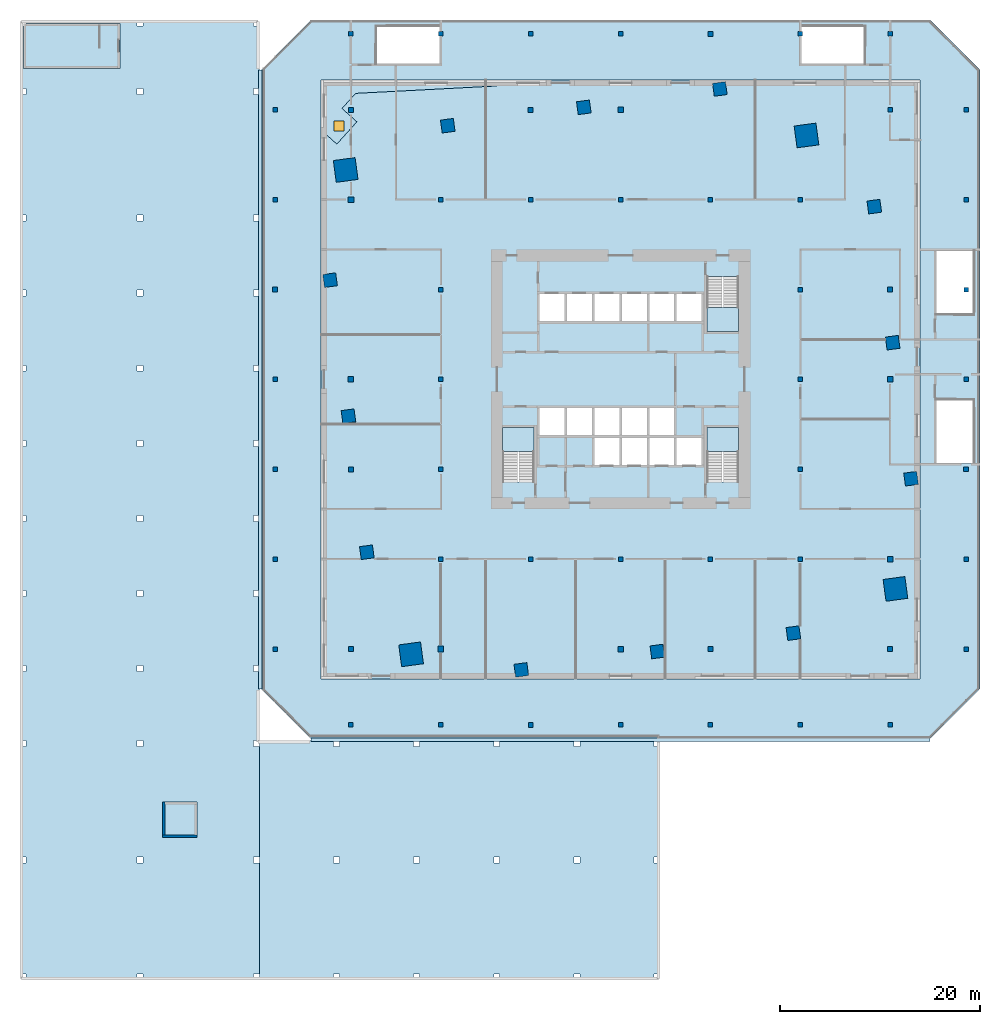
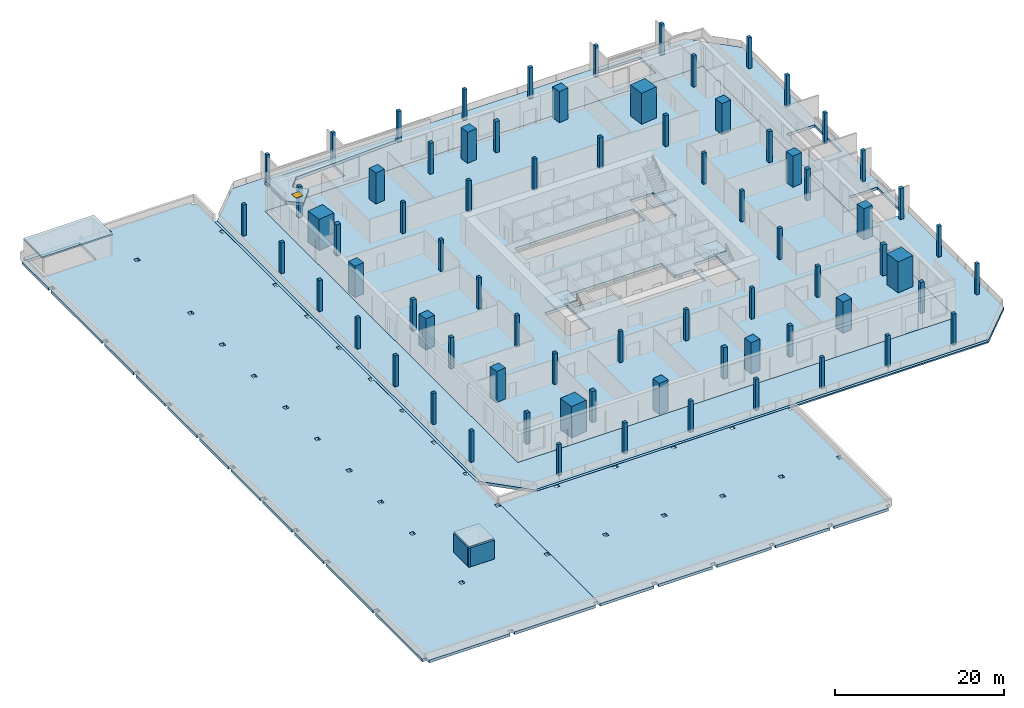
# One storey, part 1 of 12: 75 columns, 10 slabs, 2 plates, 2 walls, 1 door, 1 opening, 3 elements without a shape of their own.
"""IFC4 building model written with IfcOpenShell, lengths in metres."""

from ifc_helpers import new_model, si_unit, direction, frame, frame_2d, origin, origin_2d, place, context, subcontext, project, spatial, polyline, rectangle, outline, extrude, material, layer, layer_set, material_profile, profile_set, type_object, element, fill, aggregate, save


model = new_model("IFC4")

# Units and contexts
model_context = context("Model", 3, precision=1e-05, world=origin(), true_north=direction((0.0, 1.0)))
body_context = subcontext(model_context, "Body", "Model", "MODEL_VIEW")
ifc_project = project(units=[si_unit("LENGTHUNIT", "METRE"), si_unit("AREAUNIT", "SQUARE_METRE"), si_unit("VOLUMEUNIT", "CUBIC_METRE"), si_unit("PLANEANGLEUNIT", "RADIAN"), si_unit("MASSUNIT", "GRAM", prefix="KILO")], contexts=[model_context])

# Site, building, storey
site_placement = place(None, origin())
site = spatial("IfcSite", under=ifc_project, at=site_placement, CompositionType="ELEMENT")
building_placement = place(site_placement, origin())
building = spatial("IfcBuilding", under=site, at=building_placement, Name="Dilmun Exchange Tower", CompositionType="ELEMENT")
storey_placement = place(building_placement, frame((0.0, 0.0, 18.0)))
storey = spatial("IfcBuildingStorey", under=building, at=storey_placement, Name="L04", CompositionType="ELEMENT", Elevation=18.0)

# Columns
ifc_material_1 = material(Name="Concrete C80/95", Category="concrete")
ifc_material_profile_1 = material_profile(ifc_material_1, rectangle(XDim=2.199951171875, YDim=2.199951171875, at=origin_2d()), Name="2200 x 2200")
ifc_profile_set_1 = profile_set([ifc_material_profile_1], Name="Concrete C80/95")
column_type_1 = type_object("IfcColumnType", Name="RC mega column 2200 x 2200 C80/95", PredefinedType="COLUMN", material=ifc_profile_set_1)
for number, where, z_axis, x_axis, name in (
    (1, (18.6220703125, 24.43701171875, 0.0), (0.0, 0.0, 1.0), (0.991001197216, 0.133853005627, 0.0), "Mega column M1"),
    (2, (-27.531005859375, 20.97900390625, 0.0), (0.0, 0.0, 1.0), (0.991001197216, 0.133853005627, 0.0), "Mega column M2"),
    (3, (-20.97900390625, -27.531005859375, 0.0), (0.0, 0.0, 1.0), (0.991001197216, 0.133853005627, 0.0), "Mega column M3"),
    (4, (27.531005859375, -20.97900390625, 0.0), (0.0, 0.0, 1.0), (0.991001197216, 0.133853005627, 0.0), "Mega column M4"),
):
    element("IfcColumn", number, at=place(storey_placement, frame(where, z_axis=z_axis, x_axis=x_axis)), inside=storey, type_object=column_type_1, Name=name, PredefinedType="COLUMN", context=body_context, shape_type="SweptSolid", body=[
        extrude(rectangle(XDim=2.199951171875, YDim=2.199951171875, at=origin_2d()), origin(), (0.0, 0.0, 1.0), 4.5),
    ])
ifc_material_2 = material(Name="Concrete C60/75", Category="concrete")
ifc_material_profile_2 = material_profile(ifc_material_2, rectangle(XDim=0.449951171875, YDim=0.449951171875, at=origin_2d()), Name="450 x 450")
ifc_profile_set_2 = profile_set([ifc_material_profile_2], Name="Concrete C60/75")
column_type_2 = type_object("IfcColumnType", Name="RC podium column 450 x 450 C60/75", PredefinedType="COLUMN", material=ifc_profile_set_2)
for number, where, z_axis, x_axis, name in (
    (5, (-34.60009765625, -27.0, 0.0), (0.0, 0.0, 1.0), (1.0, 0.0, 0.0), "Podium column 5F"),
    (6, (-34.60009765625, -18.0, 0.0), (0.0, 0.0, 1.0), (1.0, 0.0, 0.0), "Podium column 5G"),
    (7, (-34.60009765625, -9.0, 0.0), (0.0, 0.0, 1.0), (1.0, 0.0, 0.0), "Podium column 5H"),
    (8, (-34.60009765625, 0.0, 0.0), (0.0, 0.0, 1.0), (1.0, 0.0, 0.0), "Podium column 5J"),
    (9, (-34.60009765625, 18.0, 0.0), (0.0, 0.0, 1.0), (1.0, 0.0, 0.0), "Podium column 5L"),
    (10, (-34.60009765625, 27.0, 0.0), (0.0, 0.0, 1.0), (1.0, 0.0, 0.0), "Podium column 5M"),
    (11, (-27.0, -34.60009765625, 0.0), (0.0, 0.0, 1.0), (1.0, 0.0, 0.0), "Podium column 6E"),
    (12, (-27.0, 34.60009765625, 0.0), (0.0, 0.0, 1.0), (1.0, 0.0, 0.0), "Podium column 6N"),
    (13, (-18.0, -34.60009765625, 0.0), (0.0, 0.0, 1.0), (1.0, 0.0, 0.0), "Podium column 7E"),
    (14, (-18.0, -18.0, 0.0), (0.0, 0.0, 1.0), (1.0, 0.0, 0.0), "Podium column 7G"),
    (15, (-18.0, -9.0, 0.0), (0.0, 0.0, 1.0), (1.0, 0.0, 0.0), "Podium column 7H"),
    (16, (-18.0, 0.0, 0.0), (0.0, 0.0, 1.0), (1.0, 0.0, 0.0), "Podium column 7J"),
    (17, (-18.0, 9.0, 0.0), (0.0, 0.0, 1.0), (1.0, 0.0, 0.0), "Podium column 7K"),
    (18, (-18.0, 18.0, 0.0), (0.0, 0.0, 1.0), (1.0, 0.0, 0.0), "Podium column 7L"),
    (19, (-18.0, 34.60009765625, 0.0), (0.0, 0.0, 1.0), (1.0, 0.0, 0.0), "Podium column 7N"),
    (20, (-9.0, -18.0, 0.0), (0.0, 0.0, 1.0), (1.0, 0.0, 0.0), "Podium column 8G"),
    (21, (-9.0, 18.0, 0.0), (0.0, 0.0, 1.0), (1.0, 0.0, 0.0), "Podium column 8L"),
    (22, (-9.0, 34.60009765625, 0.0), (0.0, 0.0, 1.0), (1.0, 0.0, 0.0), "Podium column 8N"),
    (23, (0.0, -34.60009765625, 0.0), (0.0, 0.0, 1.0), (1.0, 0.0, 0.0), "Podium column 9E"),
    (24, (0.0, -18.0, 0.0), (0.0, 0.0, 1.0), (1.0, 0.0, 0.0), "Podium column 9G"),
    (25, (0.0, 18.0, 0.0), (0.0, 0.0, 1.0), (1.0, 0.0, 0.0), "Podium column 9L"),
    (26, (0.0, 34.60009765625, 0.0), (0.0, 0.0, 1.0), (1.0, 0.0, 0.0), "Podium column 9N"),
    (27, (9.0, -34.60009765625, 0.0), (0.0, 0.0, 1.0), (1.0, 0.0, 0.0), "Podium column 10E"),
    (28, (9.0, -18.0, 0.0), (0.0, 0.0, 1.0), (1.0, 0.0, 0.0), "Podium column 10G"),
    (29, (9.0, 18.0, 0.0), (0.0, 0.0, 1.0), (1.0, 0.0, 0.0), "Podium column 10L"),
    (30, (18.0, -34.60009765625, 0.0), (0.0, 0.0, 1.0), (1.0, 0.0, 0.0), "Podium column 11E"),
    (31, (18.0, -18.0, 0.0), (0.0, 0.0, 1.0), (1.0, 0.0, 0.0), "Podium column 11G"),
    (32, (18.0, -9.0, 0.0), (0.0, 0.0, 1.0), (1.0, 0.0, 0.0), "Podium column 11H"),
    (33, (18.0, 0.0, 0.0), (0.0, 0.0, 1.0), (1.0, 0.0, 0.0), "Podium column 11J"),
    (34, (18.0, 9.0, 0.0), (0.0, 0.0, 1.0), (1.0, 0.0, 0.0), "Podium column 11K"),
    (35, (18.0, 34.60009765625, 0.0), (0.0, 0.0, 1.0), (1.0, 0.0, 0.0), "Podium column 11N"),
    (36, (27.0, -34.60009765625, 0.0), (0.0, 0.0, 1.0), (1.0, 0.0, 0.0), "Podium column 12E"),
    (37, (27.0, 27.0, 0.0), (0.0, 0.0, 1.0), (1.0, 0.0, 0.0), "Podium column 12M"),
    (38, (27.0, 34.60009765625, 0.0), (0.0, 0.0, 1.0), (1.0, 0.0, 0.0), "Podium column 12N"),
    (39, (34.60009765625, -27.0, 0.0), (0.0, 0.0, 1.0), (1.0, 0.0, 0.0), "Podium column 13F"),
    (40, (34.60009765625, -18.0, 0.0), (0.0, 0.0, 1.0), (1.0, 0.0, 0.0), "Podium column 13G"),
    (41, (34.60009765625, 0.0, 0.0), (0.0, 0.0, 1.0), (1.0, 0.0, 0.0), "Podium column 13J"),
    (42, (34.60009765625, 9.0, 0.0), (0.0, 0.0, 1.0), (1.0, 0.0, 0.0), "Podium column 13K"),
    (43, (34.60009765625, 18.0, 0.0), (0.0, 0.0, 1.0), (1.0, 0.0, 0.0), "Podium column 13L"),
    (44, (34.60009765625, 27.0, 0.0), (0.0, 0.0, 1.0), (1.0, 0.0, 0.0), "Podium column 13M"),
):
    element("IfcColumn", number, at=place(storey_placement, frame(where, z_axis=z_axis, x_axis=x_axis)), inside=storey, type_object=column_type_2, Name=name, PredefinedType="COLUMN", context=body_context, shape_type="SweptSolid", body=[
        extrude(rectangle(XDim=0.449951171875, YDim=0.449951171875, at=origin_2d()), origin(), (0.0, 0.0, 1.0), 4.5),
    ])
ifc_material_profile_3 = material_profile(ifc_material_2, rectangle(XDim=0.47509765625, YDim=0.47509765625, at=origin_2d()), Name="475 x 475")
ifc_profile_set_3 = profile_set([ifc_material_profile_3], Name="Concrete C60/75")
column_type_3 = type_object("IfcColumnType", Name="RC podium column 475 x 475 C60/75", PredefinedType="COLUMN", material=ifc_profile_set_3)
for number, where, z_axis, x_axis, name in (
    (45, (-34.60009765625, 9.0, 0.0), (0.0, 0.0, 1.0), (1.0, 0.0, 0.0), "Podium column 5K"),
    (46, (-9.0, -34.60009765625, 0.0), (0.0, 0.0, 1.0), (1.0, 0.0, 0.0), "Podium column 8E"),
    (47, (9.0, 34.60009765625, 0.0), (0.0, 0.0, 1.0), (1.0, 0.0, 0.0), "Podium column 10N"),
    (48, (18.0, 18.0, 0.0), (0.0, 0.0, 1.0), (1.0, 0.0, 0.0), "Podium column 11L"),
    (49, (34.60009765625, -9.0, 0.0), (0.0, 0.0, 1.0), (1.0, 0.0, 0.0), "Podium column 13H"),
):
    element("IfcColumn", number, at=place(storey_placement, frame(where, z_axis=z_axis, x_axis=x_axis)), inside=storey, type_object=column_type_3, Name=name, PredefinedType="COLUMN", context=body_context, shape_type="SweptSolid", body=[
        extrude(rectangle(XDim=0.47509765625, YDim=0.47509765625, at=origin_2d()), origin(), (0.0, 0.0, 1.0), 4.5),
    ])
ifc_material_profile_4 = material_profile(ifc_material_2, rectangle(XDim=0.5, YDim=0.5, at=origin_2d()), Name="500 x 500")
ifc_profile_set_4 = profile_set([ifc_material_profile_4], Name="Concrete C60/75")
column_type_4 = type_object("IfcColumnType", Name="RC podium column 500 x 500 C60/75", PredefinedType="COLUMN", material=ifc_profile_set_4)
for number, where, z_axis, x_axis, name in (
    (50, (-27.0, -27.0, 0.0), (0.0, 0.0, 1.0), (1.0, 0.0, 0.0), "Podium column 6F"),
    (51, (-27.0, -9.0, 0.0), (0.0, 0.0, 1.0), (1.0, 0.0, 0.0), "Podium column 6H"),
    (52, (-27.0, 27.0, 0.0), (0.0, 0.0, 1.0), (1.0, 0.0, 0.0), "Podium column 6M"),
    (53, (-9.0, 27.0, 0.0), (0.0, 0.0, 1.0), (1.0, 0.0, 0.0), "Podium column 8M"),
    (54, (9.0, -27.0, 0.0), (0.0, 0.0, 1.0), (1.0, 0.0, 0.0), "Podium column 10F"),
    (55, (27.0, -27.0, 0.0), (0.0, 0.0, 1.0), (1.0, 0.0, 0.0), "Podium column 12F"),
    (56, (27.0, 9.0, 0.0), (0.0, 0.0, 1.0), (1.0, 0.0, 0.0), "Podium column 12K"),
):
    element("IfcColumn", number, at=place(storey_placement, frame(where, z_axis=z_axis, x_axis=x_axis)), inside=storey, type_object=column_type_4, Name=name, PredefinedType="COLUMN", context=body_context, shape_type="SweptSolid", body=[
        extrude(rectangle(XDim=0.5, YDim=0.5, at=origin_2d()), origin(), (0.0, 0.0, 1.0), 4.5),
    ])
ifc_material_profile_5 = material_profile(ifc_material_2, rectangle(XDim=0.550048828125, YDim=0.550048828125, at=origin_2d()), Name="550 x 550")
ifc_profile_set_5 = profile_set([ifc_material_profile_5], Name="Concrete C60/75")
column_type_5 = type_object("IfcColumnType", Name="RC podium column 550 x 550 C60/75", PredefinedType="COLUMN", material=ifc_profile_set_5)
for number, where, z_axis, x_axis, name in (
    (57, (-27.0, 0.0, 0.0), (0.0, 0.0, 1.0), (1.0, 0.0, 0.0), "Podium column 6J"),
    (58, (0.0, -27.0, 0.0), (0.0, 0.0, 1.0), (1.0, 0.0, 0.0), "Podium column 9F"),
    (59, (0.0, 27.0, 0.0), (0.0, 0.0, 1.0), (1.0, 0.0, 0.0), "Podium column 9M"),
    (60, (27.0, 0.0, 0.0), (0.0, 0.0, 1.0), (1.0, 0.0, 0.0), "Podium column 12J"),
):
    element("IfcColumn", number, at=place(storey_placement, frame(where, z_axis=z_axis, x_axis=x_axis)), inside=storey, type_object=column_type_5, Name=name, PredefinedType="COLUMN", context=body_context, shape_type="SweptSolid", body=[
        extrude(rectangle(XDim=0.550048828125, YDim=0.550048828125, at=origin_2d()), origin(), (0.0, 0.0, 1.0), 4.5),
    ])
ifc_material_profile_6 = material_profile(ifc_material_2, rectangle(XDim=0.574951171875, YDim=0.574951171875, at=origin_2d()), Name="575 x 575")
ifc_profile_set_6 = profile_set([ifc_material_profile_6], Name="Concrete C60/75")
column_type_6 = type_object("IfcColumnType", Name="RC podium column 575 x 575 C60/75", PredefinedType="COLUMN", material=ifc_profile_set_6)
for number, where, z_axis, x_axis, name in (
    (61, (-27.0, 18.0, 0.0), (0.0, 0.0, 1.0), (1.0, 0.0, 0.0), "Podium column 6L"),
    (62, (-18.0, -27.0, 0.0), (0.0, 0.0, 1.0), (1.0, 0.0, 0.0), "Podium column 7F"),
    (63, (27.0, -18.0, 0.0), (0.0, 0.0, 1.0), (1.0, 0.0, 0.0), "Podium column 12G"),
):
    element("IfcColumn", number, at=place(storey_placement, frame(where, z_axis=z_axis, x_axis=x_axis)), inside=storey, type_object=column_type_6, Name=name, PredefinedType="COLUMN", context=body_context, shape_type="SweptSolid", body=[
        extrude(rectangle(XDim=0.574951171875, YDim=0.574951171875, at=origin_2d()), origin(), (0.0, 0.0, 1.0), 4.5),
    ])
ifc_material_profile_7 = material_profile(ifc_material_1, rectangle(XDim=1.300048828125, YDim=1.300048828125, at=origin_2d()), Name="1300 x 1300")
ifc_profile_set_7 = profile_set([ifc_material_profile_7], Name="Concrete C80/95")
column_type_7 = type_object("IfcColumnType", Name="RC ring column 1300 x 1300 C80/95", PredefinedType="COLUMN", material=ifc_profile_set_7)
for number, where, z_axis, x_axis, name in (
    (64, (9.945068359375, 29.093017578125, 0.0), (0.0, 0.0, 1.0), (0.991001197216, 0.133853005627, 0.0), "Ring column R01"),
    (65, (-3.680908203125, 27.2529296875, 0.0), (0.0, 0.0, 1.0), (0.991001197216, 0.133853005627, 0.0), "Ring column R02"),
    (66, (-17.306884765625, 25.412109375, 0.0), (0.0, 0.0, 1.0), (0.991001197216, 0.133853005627, 0.0), "Ring column R03"),
    (67, (-29.093017578125, 9.945068359375, 0.0), (0.0, 0.0, 1.0), (0.991001197216, 0.133853005627, 0.0), "Ring column R04"),
    (68, (-27.2529296875, -3.680908203125, 0.0), (0.0, 0.0, 1.0), (0.991001197216, 0.133853005627, 0.0), "Ring column R05"),
    (69, (-25.412109375, -17.306884765625, 0.0), (0.0, 0.0, 1.0), (0.991001197216, 0.133853005627, 0.0), "Ring column R06"),
    (70, (-9.945068359375, -29.093017578125, 0.0), (0.0, 0.0, 1.0), (0.991001197216, 0.133853005627, 0.0), "Ring column R07"),
    (71, (3.680908203125, -27.2529296875, 0.0), (0.0, 0.0, 1.0), (0.991001197216, 0.133853005627, 0.0), "Ring column R08"),
    (72, (17.306884765625, -25.412109375, 0.0), (0.0, 0.0, 1.0), (0.991001197216, 0.133853005627, 0.0), "Ring column R09"),
    (73, (29.093017578125, -9.945068359375, 0.0), (0.0, 0.0, 1.0), (0.991001197216, 0.133853005627, 0.0), "Ring column R10"),
    (74, (27.2529296875, 3.680908203125, 0.0), (0.0, 0.0, 1.0), (0.991001197216, 0.133853005627, 0.0), "Ring column R11"),
    (75, (25.412109375, 17.306884765625, 0.0), (0.0, 0.0, 1.0), (0.991001197216, 0.133853005627, 0.0), "Ring column R12"),
):
    element("IfcColumn", number, at=place(storey_placement, frame(where, z_axis=z_axis, x_axis=x_axis)), inside=storey, type_object=column_type_7, Name=name, PredefinedType="COLUMN", context=body_context, shape_type="SweptSolid", body=[
        extrude(rectangle(XDim=1.300048828125, YDim=1.300048828125, at=origin_2d()), origin(), (0.0, 0.0, 1.0), 4.5),
    ])

# Stair, slab
ifc_material_3 = material(Name="Concrete C40/50", Category="concrete")
stair_type = type_object("IfcStairType", Name="Exit stair 1500 half-turn", PredefinedType="HALF_TURN_STAIR", material=ifc_material_3)
stair_1_placement = place(storey_placement, origin())
stair_1 = element("IfcStair", 76, at=stair_1_placement, inside=storey, type_object=stair_type, Name="L04 Protected exit stair ST1", PredefinedType="HALF_TURN_STAIR")
ifc_layer_1 = layer(ifc_material_3, 0.199951171875)
ifc_layer_set_1 = layer_set([ifc_layer_1], Name="Concrete C40/50")
slab_type_1 = type_object("IfcSlabType", Name="Exit stair landing 200", PredefinedType="LANDING", material=ifc_layer_set_1)
slab_1_placement = place(storey_placement, frame((0.0, 0.0, 2.050048828125)))
slab_1 = element("IfcSlab", 77, at=slab_1_placement, type_object=slab_type_1, Name="ST1 landing 1", PredefinedType="LANDING", context=body_context, shape_type="SweptSolid", body=[
    extrude(outline(polyline([(8.64990234375, 7.219970703125), (8.64990234375, 4.800048828125), (11.800048828125, 4.800048828125), (11.800048828125, 7.219970703125), (8.64990234375, 7.219970703125)])), origin(), (0.0, 0.0, 1.0), 0.199951171875),
])
aggregate(stair_1, [slab_1])

stair_2_placement = place(storey_placement, origin())
stair_2 = element("IfcStair", 78, at=stair_2_placement, inside=storey, type_object=stair_type, Name="L04 Protected exit stair ST2", PredefinedType="HALF_TURN_STAIR")
slab_2_placement = place(storey_placement, frame((0.0, 0.0, 2.050048828125)))
slab_2 = element("IfcSlab", 79, at=slab_2_placement, type_object=slab_type_1, Name="ST2 landing 1", PredefinedType="LANDING", context=body_context, shape_type="SweptSolid", body=[
    extrude(outline(polyline([(-8.64990234375, -7.219970703125), (-8.64990234375, -4.800048828125), (-11.800048828125, -4.800048828125), (-11.800048828125, -7.219970703125), (-8.64990234375, -7.219970703125)])), origin(), (0.0, 0.0, 1.0), 0.199951171875),
])
aggregate(stair_2, [slab_2])

stair_3_placement = place(storey_placement, origin())
stair_3 = element("IfcStair", 80, at=stair_3_placement, inside=storey, type_object=stair_type, Name="L04 Protected exit stair ST3", PredefinedType="HALF_TURN_STAIR")
slab_3_placement = place(storey_placement, frame((0.0, 0.0, 2.050048828125)))
slab_3 = element("IfcSlab", 81, at=slab_3_placement, type_object=slab_type_1, Name="ST3 landing 1", PredefinedType="LANDING", context=body_context, shape_type="SweptSolid", body=[
    extrude(outline(polyline([(11.800048828125, -7.219970703125), (11.800048828125, -4.800048828125), (8.64990234375, -4.800048828125), (8.64990234375, -7.219970703125), (11.800048828125, -7.219970703125)])), origin(), (0.0, 0.0, 1.0), 0.199951171875),
])
aggregate(stair_3, [slab_3])

# Plates
ifc_material_4 = material(Name="Stainless steel", Category="steel")
ifc_layer_2 = layer(ifc_material_4, 0.011962890625)
ifc_layer_set_2 = layer_set([ifc_layer_2], Name="Stainless steel")
plate_type = type_object("IfcPlateType", Name="Movement joint cover plate 350 x 12", PredefinedType="SHEET", material=ifc_layer_set_2)
plate_1_placement = place(storey_placement, frame((-36.074951171875, 0.0, 0.0), z_axis=(0.0, 0.0, 1.0), x_axis=(1.0, 0.0, 0.0)))
element("IfcPlate", 82, at=plate_1_placement, inside=storey, type_object=plate_type, Name="Movement joint cover plate, west joint", PredefinedType="SHEET", context=body_context, shape_type="SweptSolid", body=[
    extrude(rectangle(XDim=0.35009765625, YDim=62.0, at=origin_2d()), origin(), (0.0, 0.0, 1.0), 0.011962890625),
])
plate_2_placement = place(storey_placement, frame((0.0, -36.074951171875, 0.0), z_axis=(0.0, 0.0, 1.0), x_axis=(1.0, 0.0, 0.0)))
element("IfcPlate", 83, at=plate_2_placement, inside=storey, type_object=plate_type, Name="Movement joint cover plate, south joint", PredefinedType="SHEET", context=body_context, shape_type="SweptSolid", body=[
    extrude(rectangle(XDim=62.0, YDim=0.35009765625, at=origin_2d()), origin(), (0.0, 0.0, 1.0), 0.011962890625),
])

# Slab, opening, door
ifc_layer_3 = layer(ifc_material_3, 0.449951171875)
ifc_layer_set_3 = layer_set([ifc_layer_3], Name="Concrete C40/50")
slab_type_2 = type_object("IfcSlabType", Name="RC enclosure roof slab 450", PredefinedType="ROOF", material=ifc_layer_set_3)
slab_4_placement = place(storey_placement, frame((0.0, 0.0, 4.050048828125)))
slab_4 = element("IfcSlab", 84, at=slab_4_placement, inside=storey, type_object=slab_type_2, Name="Enclosure roof slab", PredefinedType="ROOF", context=body_context, shape_type="SweptSolid", body=[
    extrude(outline(polyline([(-30.0, 24.99365234375), (-30.0, 30.0), (-12.41015625, 30.0), (-12.394287109375, 29.3916015625), (-26.535888671875, 28.650390625), (-27.89794921875, 27.1376953125), (-26.41162109375, 25.799560546875), (-28.4189453125, 23.570068359375), (-30.0, 24.99365234375)])), origin(), (0.0, 0.0, 1.0), 0.449951171875),
])
opening_placement = place(slab_4_placement, frame((-28.199951171875, 25.39990234375, 0.0)))
opening = element("IfcOpeningElement", 85, at=opening_placement, cuts=slab_4, Name="Opening RH1", PredefinedType="OPENING", context=body_context, shape_type="SweptSolid", body=[
    extrude(rectangle(XDim=1.0, YDim=1.0, at=origin_2d()), origin(), (0.0, 0.0, 1.0), 0.5),
])
ifc_material_5 = material(Name="Galvanised steel", Category="steel")
door_type = type_object("IfcDoorType", Name="Roof access hatch 1000 x 1000", OperationType="SINGLE_SWING_LEFT", PredefinedType="TRAPDOOR", material=ifc_material_5)
door_placement = place(opening_placement, frame((0.0, 0.0, 0.449951171875)))
door = element("IfcDoor", 86, at=door_placement, inside=storey, type_object=door_type, Name="Roof access hatch", OperationType="SINGLE_SWING_LEFT", OverallHeight=1.0, OverallWidth=1.0, PredefinedType="TRAPDOOR", context=body_context, shape_type="SweptSolid", body=[
    extrude(rectangle(XDim=1.0, YDim=1.0, at=origin_2d()), origin(), (0.0, 0.0, 1.0), 0.050048828125),
])
fill(opening, door)

# Slabs
ifc_layer_4 = layer(ifc_material_3, 0.39990234375)
ifc_layer_set_4 = layer_set([ifc_layer_4], Name="Concrete C40/50")
slab_type_3 = type_object("IfcSlabType", Name="RC floor slab 400", PredefinedType="FLOOR", material=ifc_layer_set_4)
slab_5_placement = place(storey_placement, frame((0.0, 0.0, -0.39990234375)))
element("IfcSlab", 87, at=slab_5_placement, inside=storey, type_object=slab_type_3, Name="Floor slab", PredefinedType="FLOOR", context=body_context, shape_type="SweptSolid", body=[
    extrude(outline(polyline([(-30.0, 30.0), (30.0, 30.0), (30.0, -30.0), (-30.0, -30.0), (-30.0, 30.0)]), holes=[polyline([(-8.64990234375, -10.294921875), (-8.64990234375, -4.800048828125), (-11.800048828125, -4.800048828125), (-11.800048828125, -10.294921875), (-8.64990234375, -10.294921875)]), polyline([(11.800048828125, -10.294921875), (11.800048828125, -4.800048828125), (8.64990234375, -4.800048828125), (8.64990234375, -10.294921875), (11.800048828125, -10.294921875)]), polyline([(5.375, -2.85009765625), (-8.125, -2.85009765625), (-8.125, -5.550048828125), (-2.625, -5.550048828125), (-2.625, -8.550048828125), (8.125, -8.550048828125), (8.125, -5.85009765625), (5.375, -5.85009765625), (5.375, -2.85009765625)]), polyline([(-8.125, 5.85009765625), (8.125, 5.85009765625), (8.125, 8.550048828125), (-8.125, 8.550048828125), (-8.125, 5.85009765625)]), polyline([(8.64990234375, 10.294921875), (8.64990234375, 4.800048828125), (11.800048828125, 4.800048828125), (11.800048828125, 10.294921875), (8.64990234375, 10.294921875)])]), origin(), (0.0, 0.0, 1.0), 0.39990234375),
])
ifc_layer_5 = layer(ifc_material_3, 0.39990234375)
ifc_layer_set_5 = layer_set([ifc_layer_5], Name="Concrete C40/50")
slab_type_4 = type_object("IfcSlabType", Name="RC podium terrace slab 400", PredefinedType="FLOOR", material=ifc_layer_set_5)
slab_6_placement = place(storey_placement, frame((0.0, 0.0, -0.39990234375)))
element("IfcSlab", 88, at=slab_6_placement, inside=storey, type_object=slab_type_4, Name="Podium terrace slab", PredefinedType="FLOOR", context=body_context, shape_type="SweptSolid", body=[
    extrude(outline(polyline([(-36.0, 31.0), (-31.0, 36.0), (31.0, 36.0), (36.0, 31.0), (36.0, -31.0), (31.0, -36.0), (-31.0, -36.0), (-36.0, -31.0), (-36.0, 31.0)]), holes=[polyline([(30.0, 30.0), (-30.0, 30.0), (-30.0, -30.0), (30.0, -30.0), (30.0, 30.0)]), polyline([(35.39794921875, -8.39501953125), (35.39794921875, -2.0048828125), (31.60009765625, -2.0048828125), (31.60009765625, -8.39501953125), (35.39794921875, -8.39501953125)]), polyline([(31.60009765625, 12.89501953125), (31.60009765625, 6.5048828125), (35.39794921875, 6.5048828125), (35.39794921875, 12.89501953125), (31.60009765625, 12.89501953125)]), polyline([(-18.10498046875, 31.60009765625), (-18.10498046875, 35.39794921875), (-24.4951171875, 35.39794921875), (-24.4951171875, 31.60009765625), (-18.10498046875, 31.60009765625)]), polyline([(18.10498046875, 35.39794921875), (18.10498046875, 31.60009765625), (24.4951171875, 31.60009765625), (24.4951171875, 35.39794921875), (18.10498046875, 35.39794921875)])]), origin(), (0.0, 0.0, 1.0), 0.39990234375),
])
ifc_layer_6 = layer(ifc_material_3, 0.39990234375)
ifc_layer_set_6 = layer_set([ifc_layer_6], Name="Concrete C40/50")
slab_type_5 = type_object("IfcSlabType", Name="School roof slab 400", PredefinedType="ROOF", material=ifc_layer_set_6)
slab_7_placement = place(storey_placement, frame((0.0, 0.0, 2.75)))
element("IfcSlab", 89, at=slab_7_placement, inside=storey, type_object=slab_type_5, Name="School lift overrun roof", PredefinedType="ROOF", context=body_context, shape_type="SweptSolid", body=[
    extrude(outline(polyline([(-45.89990234375, -45.89990234375), (-45.89990234375, -42.300048828125), (-42.39990234375, -42.300048828125), (-42.39990234375, -45.89990234375), (-45.89990234375, -45.89990234375)])), origin(), (0.0, 0.0, 1.0), 0.25),
])
slab_8_placement = place(storey_placement, frame((0.0, 0.0, -0.39990234375)))
element("IfcSlab", 90, at=slab_8_placement, inside=storey, type_object=slab_type_5, Name="School slab L04", PredefinedType="ROOF", context=body_context, shape_type="SweptSolid", body=[
    extrude(outline(polyline([(-36.75, -60.14990234375), (-47.85009765625, -60.14990234375), (-47.85009765625, -59.550048828125), (-48.449951171875, -59.550048828125), (-48.449951171875, -60.14990234375), (-59.550048828125, -60.14990234375), (-59.550048828125, -59.550048828125), (-60.14990234375, -59.550048828125), (-60.14990234375, -48.449951171875), (-59.550048828125, -48.449951171875), (-59.550048828125, -47.85009765625), (-60.14990234375, -47.85009765625), (-60.14990234375, -36.75), (-59.550048828125, -36.75), (-59.550048828125, -36.14990234375), (-60.14990234375, -36.14990234375), (-60.14990234375, -29.236083984375), (-59.550048828125, -29.236083984375), (-59.550048828125, -28.635986328125), (-60.14990234375, -28.635986328125), (-60.14990234375, -21.720947265625), (-59.550048828125, -21.720947265625), (-59.550048828125, -21.12109375), (-60.14990234375, -21.12109375), (-60.14990234375, -14.20703125), (-59.550048828125, -14.20703125), (-59.550048828125, -13.60693359375), (-60.14990234375, -13.60693359375), (-60.14990234375, -6.693115234375), (-59.550048828125, -6.693115234375), (-59.550048828125, -6.093017578125), (-60.14990234375, -6.093017578125), (-60.14990234375, 0.821044921875), (-59.550048828125, 0.821044921875), (-59.550048828125, 1.4208984375), (-60.14990234375, 1.4208984375), (-60.14990234375, 8.3359375), (-59.550048828125, 8.3359375), (-59.550048828125, 8.93603515625), (-60.14990234375, 8.93603515625), (-60.14990234375, 15.85009765625), (-59.550048828125, 15.85009765625), (-59.550048828125, 16.449951171875), (-60.14990234375, 16.449951171875), (-60.14990234375, 28.550048828125), (-59.550048828125, 28.550048828125), (-59.550048828125, 29.14990234375), (-60.14990234375, 29.14990234375), (-60.14990234375, 35.39990234375), (-59.551025390625, 35.39990234375), (-59.551025390625, 31.39892578125), (-52.25390625, 31.39892578125), (-52.25390625, 35.40087890625), (-59.550048828125, 35.40087890625), (-59.550048828125, 36.0), (-48.449951171875, 36.0), (-48.449951171875, 35.39990234375), (-47.85009765625, 35.39990234375), (-47.85009765625, 36.0), (-36.75, 36.0), (-36.75, 35.39990234375), (-36.14990234375, 35.39990234375), (-36.14990234375, 29.14990234375), (-36.75, 29.14990234375), (-36.75, 28.550048828125), (-36.14990234375, 28.550048828125), (-36.14990234375, 16.449951171875), (-36.75, 16.449951171875), (-36.75, 15.85009765625), (-36.14990234375, 15.85009765625), (-36.14990234375, 8.93603515625), (-36.75, 8.93603515625), (-36.75, 8.3359375), (-36.14990234375, 8.3359375), (-36.14990234375, 1.4208984375), (-36.75, 1.4208984375), (-36.75, 0.821044921875), (-36.14990234375, 0.821044921875), (-36.14990234375, -6.093017578125), (-36.75, -6.093017578125), (-36.75, -6.693115234375), (-36.14990234375, -6.693115234375), (-36.14990234375, -13.60693359375), (-36.75, -13.60693359375), (-36.75, -14.20703125), (-36.14990234375, -14.20703125), (-36.14990234375, -21.12109375), (-36.75, -21.12109375), (-36.75, -21.720947265625), (-36.14990234375, -21.720947265625), (-36.14990234375, -28.635986328125), (-36.75, -28.635986328125), (-36.75, -29.236083984375), (-36.14990234375, -29.236083984375), (-36.14990234375, -36.14990234375), (-36.75, -36.14990234375), (-36.75, -36.75), (-36.14990234375, -36.75), (-36.14990234375, -47.85009765625), (-36.75, -47.85009765625), (-36.75, -48.449951171875), (-36.14990234375, -48.449951171875), (-36.14990234375, -59.550048828125), (-36.75, -59.550048828125), (-36.75, -60.14990234375)]), holes=[polyline([(-48.449951171875, -29.236083984375), (-47.85009765625, -29.236083984375), (-47.85009765625, -28.635986328125), (-48.449951171875, -28.635986328125), (-48.449951171875, -29.236083984375)]), polyline([(-48.449951171875, 8.93603515625), (-48.449951171875, 8.3359375), (-47.85009765625, 8.3359375), (-47.85009765625, 8.93603515625), (-48.449951171875, 8.93603515625)]), polyline([(-48.449951171875, 15.85009765625), (-47.85009765625, 15.85009765625), (-47.85009765625, 16.449951171875), (-48.449951171875, 16.449951171875), (-48.449951171875, 15.85009765625)]), polyline([(-48.449951171875, 29.14990234375), (-48.449951171875, 28.550048828125), (-47.85009765625, 28.550048828125), (-47.85009765625, 29.14990234375), (-48.449951171875, 29.14990234375)]), polyline([(-48.449951171875, -48.449951171875), (-47.85009765625, -48.449951171875), (-47.85009765625, -47.85009765625), (-48.449951171875, -47.85009765625), (-48.449951171875, -48.449951171875)]), polyline([(-48.449951171875, -36.14990234375), (-48.449951171875, -36.75), (-47.85009765625, -36.75), (-47.85009765625, -36.14990234375), (-48.449951171875, -36.14990234375)]), polyline([(-48.449951171875, -21.12109375), (-48.449951171875, -21.720947265625), (-47.85009765625, -21.720947265625), (-47.85009765625, -21.12109375), (-48.449951171875, -21.12109375)]), polyline([(-48.449951171875, -14.20703125), (-47.85009765625, -14.20703125), (-47.85009765625, -13.60693359375), (-48.449951171875, -13.60693359375), (-48.449951171875, -14.20703125)]), polyline([(-48.449951171875, -6.093017578125), (-48.449951171875, -6.693115234375), (-47.85009765625, -6.693115234375), (-47.85009765625, -6.093017578125), (-48.449951171875, -6.093017578125)]), polyline([(-48.449951171875, 1.4208984375), (-48.449951171875, 0.821044921875), (-47.85009765625, 0.821044921875), (-47.85009765625, 1.4208984375), (-48.449951171875, 1.4208984375)]), polyline([(-45.90087890625, -42.299072265625), (-45.90087890625, -45.90087890625), (-42.39892578125, -45.90087890625), (-42.39892578125, -42.299072265625), (-45.90087890625, -42.299072265625)])]), origin(), (0.0, 0.0, 1.0), 0.39990234375),
])
slab_9_placement = place(storey_placement, frame((0.0, 0.0, -0.39990234375)))
element("IfcSlab", 91, at=slab_9_placement, inside=storey, type_object=slab_type_5, Name="School slab L04", PredefinedType="ROOF", context=body_context, shape_type="SweptSolid", body=[
    extrude(outline(polyline([(3.3330078125, -36.75), (3.93310546875, -36.75), (3.93310546875, -47.85009765625), (3.3330078125, -47.85009765625), (3.3330078125, -48.449951171875), (3.93310546875, -48.449951171875), (3.93310546875, -59.550048828125), (3.3330078125, -59.550048828125), (3.3330078125, -60.14990234375), (-4.0830078125, -60.14990234375), (-4.0830078125, -59.550048828125), (-4.68310546875, -59.550048828125), (-4.68310546875, -60.14990234375), (-12.10009765625, -60.14990234375), (-12.10009765625, -59.550048828125), (-12.699951171875, -59.550048828125), (-12.699951171875, -60.14990234375), (-20.116943359375, -60.14990234375), (-20.116943359375, -59.550048828125), (-20.717041015625, -59.550048828125), (-20.717041015625, -60.14990234375), (-28.133056640625, -60.14990234375), (-28.133056640625, -59.550048828125), (-28.73291015625, -59.550048828125), (-28.73291015625, -60.14990234375), (-36.14990234375, -60.14990234375), (-36.14990234375, -36.14990234375), (-28.73291015625, -36.14990234375), (-28.73291015625, -36.75), (-28.133056640625, -36.75), (-28.133056640625, -36.14990234375), (-20.717041015625, -36.14990234375), (-20.717041015625, -36.75), (-20.116943359375, -36.75), (-20.116943359375, -36.14990234375), (-12.699951171875, -36.14990234375), (-12.699951171875, -36.75), (-12.10009765625, -36.75), (-12.10009765625, -36.14990234375), (-4.68310546875, -36.14990234375), (-4.68310546875, -36.75), (-4.0830078125, -36.75), (-4.0830078125, -36.14990234375), (3.3330078125, -36.14990234375), (3.3330078125, -36.75)]), holes=[polyline([(-28.73291015625, -47.85009765625), (-28.73291015625, -48.449951171875), (-28.133056640625, -48.449951171875), (-28.133056640625, -47.85009765625), (-28.73291015625, -47.85009765625)]), polyline([(-20.717041015625, -47.85009765625), (-20.717041015625, -48.449951171875), (-20.116943359375, -48.449951171875), (-20.116943359375, -47.85009765625), (-20.717041015625, -47.85009765625)]), polyline([(-12.699951171875, -47.85009765625), (-12.699951171875, -48.449951171875), (-12.10009765625, -48.449951171875), (-12.10009765625, -47.85009765625), (-12.699951171875, -47.85009765625)]), polyline([(-4.68310546875, -48.449951171875), (-4.0830078125, -48.449951171875), (-4.0830078125, -47.85009765625), (-4.68310546875, -47.85009765625), (-4.68310546875, -48.449951171875)])]), origin(), (0.0, 0.0, 1.0), 0.39990234375),
])
slab_10_placement = place(storey_placement, frame((0.0, 0.0, 2.89990234375)))
element("IfcSlab", 92, at=slab_10_placement, inside=storey, type_object=slab_type_5, Name="School head-house roof", PredefinedType="ROOF", context=body_context, shape_type="SweptSolid", body=[
    extrude(outline(polyline([(-59.800048828125, 31.14990234375), (-59.800048828125, 35.64990234375), (-50.14990234375, 35.64990234375), (-50.14990234375, 31.14990234375), (-59.800048828125, 31.14990234375)])), origin(), (0.0, 0.0, 1.0), 0.2001953125),
])

# Walls
ifc_layer_7 = layer(ifc_material_3, 0.25)
ifc_layer_set_7 = layer_set([ifc_layer_7], Name="Concrete C40/50")
wall_type = type_object("IfcWallType", Name="School stair and lift wall 250 C40/50", PredefinedType="SHEAR", material=ifc_layer_set_7)
wall_1_placement = place(storey_placement, frame((-45.77490234375, -45.89990234375, 0.0), z_axis=(0.0, 0.0, 1.0), x_axis=(0.0, 1.0, 0.0)))
element("IfcWall", 93, at=wall_1_placement, inside=storey, type_object=wall_type, Name="School lift overrun wall", PredefinedType="SHEAR", context=body_context, shape_type="SweptSolid", body=[
    extrude(rectangle(XDim=3.599853515625, YDim=0.25, at=frame_2d((1.7998046875, 0.0))), origin(), (0.0, 0.0, 1.0), 2.75),
])
wall_2_placement = place(storey_placement, frame((-45.89990234375, -45.77490234375, 0.0), z_axis=(0.0, 0.0, 1.0), x_axis=(1.0, 0.0, 0.0)))
element("IfcWall", 94, at=wall_2_placement, inside=storey, type_object=wall_type, Name="School lift overrun wall", PredefinedType="SHEAR", context=body_context, shape_type="SweptSolid", body=[
    extrude(rectangle(XDim=3.5, YDim=0.25, at=frame_2d((1.75, 0.0))), origin(), (0.0, 0.0, 1.0), 2.75),
])

save(model, "model.ifc")
